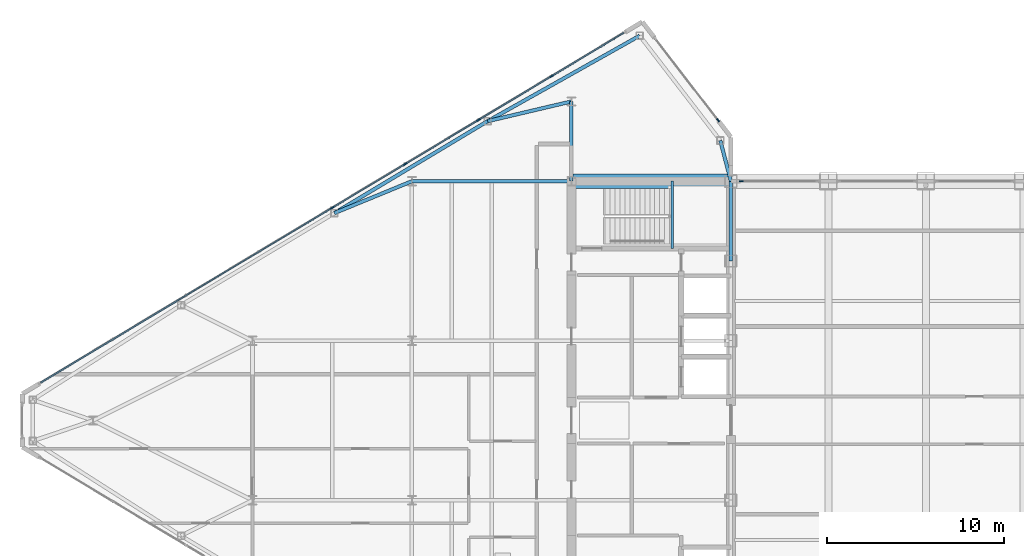
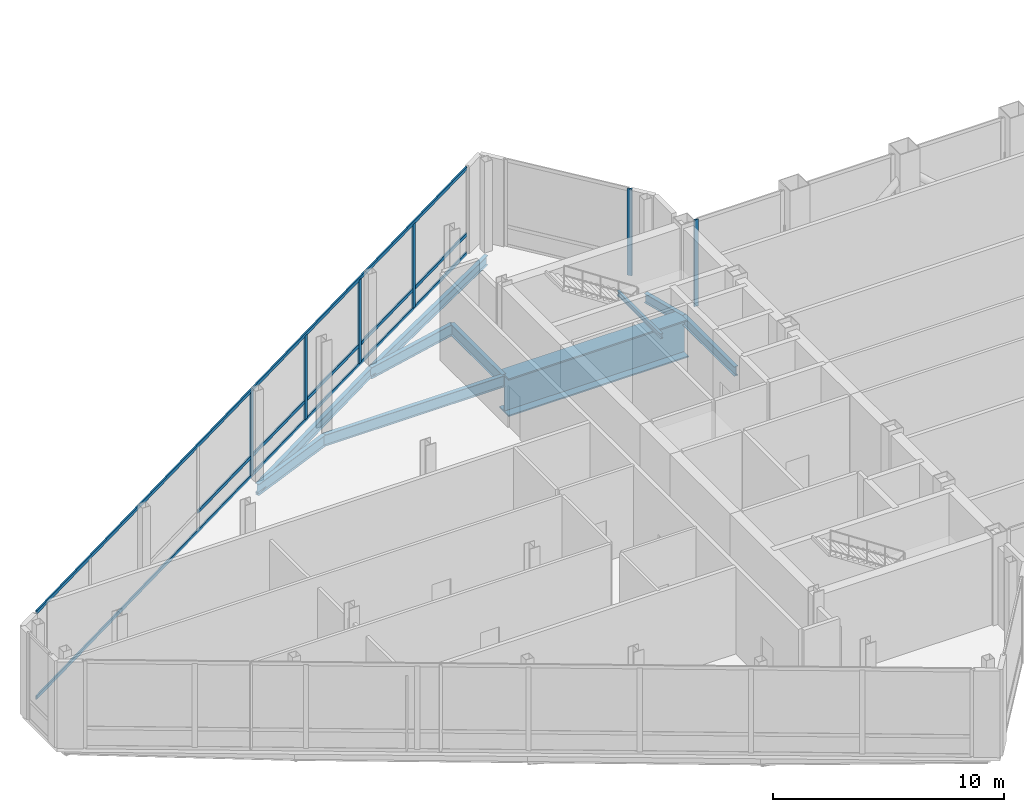
# One storey, part 11 of 30: 13 members, 10 beams, 3 elements without a shape of their own.
"""IFC4 building model written with IfcOpenShell, lengths in metres."""

from ifc_helpers import new_model, si_unit, direction, frame, origin, origin_2d, place, context, subcontext, project, spatial, rectangle, i_section, extrude, source, transform, mapped, material, layer, layer_set, material_profile, profile_set, type_object, type_shapes, element, aggregate, save


model = new_model("IFC4")

# Units and contexts
model_context = context("Model", 3, precision=1e-05, world=origin(), true_north=direction((0.0, 1.0)))
body_context = subcontext(model_context, "Body", "Model", "MODEL_VIEW")
ifc_project = project(units=[si_unit("LENGTHUNIT", "METRE"), si_unit("AREAUNIT", "SQUARE_METRE"), si_unit("VOLUMEUNIT", "CUBIC_METRE"), si_unit("PLANEANGLEUNIT", "RADIAN"), si_unit("MASSUNIT", "GRAM", prefix="KILO")], contexts=[model_context])

# Site, building, storey
site_placement = place(None, origin())
site = spatial("IfcSite", under=ifc_project, at=site_placement, CompositionType="ELEMENT")
building_placement = place(site_placement, origin())
building = spatial("IfcBuilding", under=site, at=building_placement, Name="Seokmaru Belvedere", CompositionType="ELEMENT")
storey_placement = place(building_placement, frame((0.0, 0.0, 234.60009765625)))
storey = spatial("IfcBuildingStorey", under=building, at=storey_placement, Name="L62", CompositionType="ELEMENT", Elevation=234.60009765625)

# Beams
ifc_material_1 = material(Name="Steel SM355 (355 MPa)", Category="steel")
ifc_material_profile_1 = material_profile(ifc_material_1, i_section(OverallWidth=0.199951171875, OverallDepth=0.5, WebThickness=0.010009765625, FlangeThickness=0.01611328125, at=origin_2d()), Name="H-500x200x10x16")
ifc_profile_set_1 = profile_set([ifc_material_profile_1], Name="Steel SM355 (355 MPa)")
beam_type_1 = type_object("IfcBeamType", Name="Perimeter Spandrel Beam H-500", PredefinedType="SPANDREL", material=ifc_profile_set_1)
shared_shape_1 = source(origin(), body_context, "Body", "SweptSolid", [
    extrude(i_section(OverallWidth=0.199951171875, OverallDepth=0.5, WebThickness=0.010009765625, FlangeThickness=0.01611328125, at=origin_2d()), origin(), (0.0, 0.0, 1.0), 4.5),
])
beam_1_placement = place(storey_placement, frame((-27.5, 9.0, -0.510009765625), z_axis=(0.0, 1.0, 0.0), x_axis=(-1.0, 0.0, 0.0)))
element("IfcBeam", 1, at=beam_1_placement, inside=storey, type_object=beam_type_1, Name="L62 W Portal Spine Spandrel 5", PredefinedType="SPANDREL", context=body_context, shape_type="MappedRepresentation", body=[
    mapped(shared_shape_1, transform((0.0, 0.0, 0.0), scale=1.0)),
])
ifc_material_profile_2 = material_profile(ifc_material_1, i_section(OverallWidth=0.199951171875, OverallDepth=0.60009765625, WebThickness=0.010986328125, FlangeThickness=0.01708984375, at=origin_2d()), Name="H-600x200x11x17")
ifc_profile_set_2 = profile_set([ifc_material_profile_2], Name="Steel SM355 (355 MPa)")
beam_type_2 = type_object("IfcBeamType", Name="Primary Floor Girder H-600", PredefinedType="BEAM", material=ifc_profile_set_2)
shared_shape_2 = source(origin(), body_context, "Body", "SweptSolid", [
    extrude(i_section(OverallWidth=0.199951171875, OverallDepth=0.60009765625, WebThickness=0.010986328125, FlangeThickness=0.01708984375, at=origin_2d()), origin(), (0.0, 0.0, 1.0), 9.0),
])
beam_2_placement = place(storey_placement, frame((-45.5, 13.5, -0.56005859375), z_axis=(1.0, 0.0, 0.0), x_axis=(0.0, 1.0, 0.0)))
element("IfcBeam", 2, at=beam_2_placement, inside=storey, type_object=beam_type_2, Name="L62 W Wing Primary Girder 4", PredefinedType="BEAM", context=body_context, shape_type="MappedRepresentation", body=[
    mapped(shared_shape_2, transform((0.0, 0.0, 0.0), scale=1.0)),
])
shared_shape_3 = source(origin(), body_context, "Body", "SweptSolid", [
    extrude(i_section(OverallWidth=0.199951171875, OverallDepth=0.60009765625, WebThickness=0.010986328125, FlangeThickness=0.01708984375, at=origin_2d()), origin(), (0.0, 0.0, 1.0), 4.5),
])
beam_3_placement = place(storey_placement, frame((-36.5, 13.5, -0.56005859375), z_axis=(0.0, 1.0, 0.0), x_axis=(-1.0, 0.0, 0.0)))
element("IfcBeam", 3, at=beam_3_placement, inside=storey, type_object=beam_type_2, Name="L62 W Core Shoulder Girder N", PredefinedType="BEAM", context=body_context, shape_type="MappedRepresentation", body=[
    mapped(shared_shape_3, transform((0.0, 0.0, 0.0), scale=1.0)),
])
shared_shape_4 = source(origin(), body_context, "Body", "SweptSolid", [
    extrude(i_section(OverallWidth=0.199951171875, OverallDepth=0.5, WebThickness=0.010009765625, FlangeThickness=0.01611328125, at=origin_2d()), origin(), (0.0, 0.0, 1.0), 9.842041015625),
])
beam_4_placement = place(storey_placement, frame((-32.649658203125, 21.71044921875, -0.510009765625), z_axis=(-0.871782151818, -0.489893743349, 0.0), x_axis=(0.489893743349, -0.871782151818, 0.0)))
element("IfcBeam", 4, at=beam_4_placement, inside=storey, type_object=beam_type_1, Name="L62 W Faceted Flank Spandrel N-1", PredefinedType="SPANDREL", context=body_context, shape_type="MappedRepresentation", body=[
    mapped(shared_shape_4, transform((0.0, 0.0, 0.0), scale=1.0)),
])
shared_shape_5 = source(origin(), body_context, "Body", "SweptSolid", [
    extrude(i_section(OverallWidth=0.199951171875, OverallDepth=0.5, WebThickness=0.010009765625, FlangeThickness=0.01611328125, at=origin_2d()), origin(), (0.0, 0.0, 1.0), 10.087646484375),
])
beam_5_placement = place(storey_placement, frame((-41.229736328125, 16.888916015625, -0.510009765625), z_axis=(-0.857499332045, -0.514485078056, 0.0), x_axis=(0.514485078056, -0.857499332045, 0.0)))
element("IfcBeam", 5, at=beam_5_placement, inside=storey, type_object=beam_type_1, Name="L62 W Faceted Flank Spandrel N-2", PredefinedType="SPANDREL", context=body_context, shape_type="MappedRepresentation", body=[
    mapped(shared_shape_5, transform((0.0, 0.0, 0.0), scale=1.0)),
])
shared_shape_6 = source(origin(), body_context, "Body", "SweptSolid", [
    extrude(i_section(OverallWidth=0.199951171875, OverallDepth=0.5, WebThickness=0.010009765625, FlangeThickness=0.01611328125, at=origin_2d()), origin(), (0.0, 0.0, 1.0), 2.373046875),
])
type_shapes(beam_type_1, [shared_shape_1, shared_shape_4, shared_shape_5, shared_shape_6])
beam_6_placement = place(storey_placement, frame((-28.10009765625, 15.7958984375, -0.510009765625), z_axis=(0.252882558842, -0.967496982648, 0.0), x_axis=(0.967496982648, 0.252882558842, 0.0)))
element("IfcBeam", 6, at=beam_6_placement, inside=storey, type_object=beam_type_1, Name="L62 W Shoulder Spine Spandrel N", PredefinedType="SPANDREL", context=body_context, shape_type="MappedRepresentation", body=[
    mapped(shared_shape_6, transform((0.0, 0.0, 0.0), scale=1.0)),
])
shared_shape_7 = source(origin(), body_context, "Body", "SweptSolid", [
    extrude(i_section(OverallWidth=0.199951171875, OverallDepth=0.60009765625, WebThickness=0.010986328125, FlangeThickness=0.01708984375, at=origin_2d()), origin(), (0.0, 0.0, 1.0), 4.8583984375),
])
beam_7_placement = place(storey_placement, frame((-41.229736328125, 16.888916015625, -0.56005859375), z_axis=(0.97349948295, 0.228689214211, 0.0), x_axis=(-0.228689214211, 0.97349948295, 0.0)))
element("IfcBeam", 7, at=beam_7_placement, inside=storey, type_object=beam_type_2, Name="L62 W Flank Radial Floor Girder N-1", PredefinedType="BEAM", context=body_context, shape_type="MappedRepresentation", body=[
    mapped(shared_shape_7, transform((0.0, 0.0, 0.0), scale=1.0)),
])
shared_shape_8 = source(origin(), body_context, "Body", "SweptSolid", [
    extrude(i_section(OverallWidth=0.199951171875, OverallDepth=0.60009765625, WebThickness=0.010986328125, FlangeThickness=0.01708984375, at=origin_2d()), origin(), (0.0, 0.0, 1.0), 4.73583984375),
])
type_shapes(beam_type_2, [shared_shape_2, shared_shape_3, shared_shape_7, shared_shape_8])
beam_8_placement = place(storey_placement, frame((-49.8798828125, 11.698974609375, -0.56005859375), z_axis=(0.924860562953, 0.380306375301, 0.0), x_axis=(-0.380306375301, 0.924860562953, 0.0)))
element("IfcBeam", 8, at=beam_8_placement, inside=storey, type_object=beam_type_2, Name="L62 W Flank Radial Floor Girder N-2", PredefinedType="BEAM", context=body_context, shape_type="MappedRepresentation", body=[
    mapped(shared_shape_8, transform((0.0, 0.0, 0.0), scale=1.0)),
])
ifc_material_2 = material(Name="Steel HSA650 (650 MPa)", Category="steel")
ifc_material_profile_3 = material_profile(ifc_material_2, i_section(OverallWidth=0.800048828125, OverallDepth=2.0, WebThickness=0.0400390625, FlangeThickness=0.070068359375, at=origin_2d()), Name="BH-2000x800x40x70")
ifc_profile_set_3 = profile_set([ifc_material_profile_3], Name="Steel HSA650 (650 MPa)")
beam_type_3 = type_object("IfcBeamType", Name="Sky-Gate Transfer Truss Chord Girder BH-2000", PredefinedType="BEAM", material=ifc_profile_set_3)
shared_shape_9 = source(origin(), body_context, "Body", "SweptSolid", [
    extrude(i_section(OverallWidth=0.800048828125, OverallDepth=2.0, WebThickness=0.0400390625, FlangeThickness=0.070068359375, at=origin_2d()), origin(), (0.0, 0.0, 1.0), 9.0),
])
type_shapes(beam_type_3, [shared_shape_9])
beam_9_placement = place(storey_placement, frame((-36.5, 13.5, -1.260009765625), z_axis=(1.0, 0.0, 0.0), x_axis=(0.0, 1.0, 0.0)))
element("IfcBeam", 9, at=beam_9_placement, inside=storey, type_object=beam_type_3, Name="L62 Sky-Gate Transfer Truss Chord N-01", PredefinedType="BEAM", context=body_context, shape_type="MappedRepresentation", body=[
    mapped(shared_shape_9, transform((0.0, 0.0, 0.0), scale=1.0)),
])

# Curtain wall, members
ifc_material_3 = material(Name="Bronze Triple Insulating Glass", Category="glass")
ifc_layer = layer(ifc_material_3, 0.219970703125)
ifc_layer_set = layer_set([ifc_layer], Name="Bronze Triple Insulating Glass")
curtain_wall_type = type_object("IfcCurtainWallType", Name="Sky-Gate Bridge Panorama Curtain Wall System CW-6", PredefinedType="NOTDEFINED", material=ifc_layer_set)
curtain_wall_1_placement = place(storey_placement, origin())
curtain_wall_1 = element("IfcCurtainWall", 10, at=curtain_wall_1_placement, inside=storey, type_object=curtain_wall_type, Name="L62 Curtain Wall WF3", PredefinedType="NOTDEFINED")
ifc_material_4 = material(Name="Anodised Bronze Aluminium", Category="aluminium")
ifc_material_profile_4 = material_profile(ifc_material_4, rectangle(XDim=0.074951171875, YDim=0.179931640625, at=origin_2d()), Name="CW-T-75x180")
ifc_profile_set_4 = profile_set([ifc_material_profile_4], Name="Anodised Bronze Aluminium")
member_type_1 = type_object("IfcMemberType", Name="Bronze Unitised Transom 75x180", PredefinedType="USERDEFINED", material=ifc_profile_set_4)
shared_shape_10 = source(origin(), body_context, "Body", "SweptSolid", [
    extrude(rectangle(XDim=0.074951171875, YDim=0.179931640625, at=origin_2d()), origin(), (0.0, 0.0, 1.0), 38.356689453125),
])
member_1_placement = place(storey_placement, frame((-33.5546875, 21.8671875, 0.037353515625), z_axis=(-0.857492925713, -0.514495755428, 0.0), x_axis=(0.514495755428, -0.857492925713, 0.0)))
member_1 = element("IfcMember", 11, at=member_1_placement, type_object=member_type_1, Name="CW:L62:WF3 Continuous Transom 1", ObjectType="TRANSOM", PredefinedType="USERDEFINED", context=body_context, shape_type="MappedRepresentation", body=[
    mapped(shared_shape_10, transform((0.0, 0.0, 0.0), scale=1.0)),
])
member_2_placement = place(storey_placement, frame((-33.5546875, 21.8671875, 4.54248046875), z_axis=(-0.857492925713, -0.514495755428, 0.0), x_axis=(0.514495755428, -0.857492925713, 0.0)))
member_2 = element("IfcMember", 12, at=member_2_placement, type_object=member_type_1, Name="CW:L62:WF3 Continuous Transom 2", ObjectType="TRANSOM", PredefinedType="USERDEFINED", context=body_context, shape_type="MappedRepresentation", body=[
    mapped(shared_shape_10, transform((0.0, 0.0, 0.0), scale=1.0)),
])
shared_shape_11 = source(origin(), body_context, "Body", "SweptSolid", [
    extrude(rectangle(XDim=0.074951171875, YDim=0.179931640625, at=origin_2d()), origin(), (0.0, 0.0, 1.0), 4.694580078125),
])
member_3_placement = place(storey_placement, frame((-33.5546875, 21.8671875, 1.0498046875), z_axis=(-0.85750210284, -0.514480459906, 0.0), x_axis=(0.514480459906, -0.85750210284, 0.0)))
member_3 = element("IfcMember", 13, at=member_3_placement, type_object=member_type_1, Name="CW:L62:WF3 Spandrel Transom 1", ObjectType="TRANSOM", PredefinedType="USERDEFINED", context=body_context, shape_type="MappedRepresentation", body=[
    mapped(shared_shape_11, transform((0.0, 0.0, 0.0), scale=1.0)),
])
shared_shape_12 = source(origin(), body_context, "Body", "SweptSolid", [
    extrude(rectangle(XDim=0.074951171875, YDim=0.179931640625, at=origin_2d()), origin(), (0.0, 0.0, 1.0), 4.734619140625),
])
member_4_placement = place(storey_placement, frame((-37.64892578125, 19.41064453125, 1.0498046875), z_axis=(-0.857479275774, -0.514518504641, 0.0), x_axis=(0.514518504641, -0.857479275774, 0.0)))
member_4 = element("IfcMember", 14, at=member_4_placement, type_object=member_type_1, Name="CW:L62:WF3 Spandrel Transom 2", ObjectType="TRANSOM", PredefinedType="USERDEFINED", context=body_context, shape_type="MappedRepresentation", body=[
    mapped(shared_shape_12, transform((0.0, 0.0, 0.0), scale=1.0)),
])
shared_shape_13 = source(origin(), body_context, "Body", "SweptSolid", [
    extrude(rectangle(XDim=0.074951171875, YDim=0.179931640625, at=origin_2d()), origin(), (0.0, 0.0, 1.0), 4.734375),
])
member_5_placement = place(storey_placement, frame((-41.77734375, 16.93359375, 1.0498046875), z_axis=(-0.857502025578, -0.514480588682, 0.0), x_axis=(0.514480588682, -0.857502025578, 0.0)))
member_5 = element("IfcMember", 15, at=member_5_placement, type_object=member_type_1, Name="CW:L62:WF3 Spandrel Transom 3", ObjectType="TRANSOM", PredefinedType="USERDEFINED", context=body_context, shape_type="MappedRepresentation", body=[
    mapped(shared_shape_13, transform((0.0, 0.0, 0.0), scale=1.0)),
])
shared_shape_14 = source(origin(), body_context, "Body", "SweptSolid", [
    extrude(rectangle(XDim=0.074951171875, YDim=0.179931640625, at=origin_2d()), origin(), (0.0, 0.0, 1.0), 4.73486328125),
])
type_shapes(member_type_1, [shared_shape_10, shared_shape_11, shared_shape_12, shared_shape_13, shared_shape_14])
member_6_placement = place(storey_placement, frame((-45.90576171875, 14.45654296875, 1.0498046875), z_axis=(-0.857492925713, -0.514495755428, 0.0), x_axis=(0.514495755428, -0.857492925713, 0.0)))
member_6 = element("IfcMember", 16, at=member_6_placement, type_object=member_type_1, Name="CW:L62:WF3 Spandrel Transom 4", ObjectType="TRANSOM", PredefinedType="USERDEFINED", context=body_context, shape_type="MappedRepresentation", body=[
    mapped(shared_shape_14, transform((0.0, 0.0, 0.0), scale=1.0)),
])
member_7_placement = place(storey_placement, frame((-50.0341796875, 11.9794921875, 1.0498046875), z_axis=(-0.857492925713, -0.514495755428, 0.0), x_axis=(0.514495755428, -0.857492925713, 0.0)))
member_7 = element("IfcMember", 17, at=member_7_placement, type_object=member_type_1, Name="CW:L62:WF3 Spandrel Transom 5", ObjectType="TRANSOM", PredefinedType="USERDEFINED", context=body_context, shape_type="MappedRepresentation", body=[
    mapped(shared_shape_14, transform((0.0, 0.0, 0.0), scale=1.0)),
])

# Curtain wall, member
curtain_wall_2_placement = place(storey_placement, origin())
curtain_wall_2 = element("IfcCurtainWall", 18, at=curtain_wall_2_placement, inside=storey, type_object=curtain_wall_type, Name="L62 Curtain Wall WF2", PredefinedType="NOTDEFINED")
ifc_material_profile_5 = material_profile(ifc_material_4, rectangle(XDim=0.080078125, YDim=0.219970703125, at=origin_2d()), Name="CW-M-80x220")
ifc_profile_set_5 = profile_set([ifc_material_profile_5], Name="Anodised Bronze Aluminium")
member_type_2 = type_object("IfcMemberType", Name="Bronze Unitised Mullion 80x220", PredefinedType="MULLION", material=ifc_profile_set_5)
shared_shape_15 = source(origin(), body_context, "Body", "SweptSolid", [
    extrude(rectangle(XDim=0.080078125, YDim=0.219970703125, at=origin_2d()), origin(), (0.0, 0.0, 1.0), 4.579833984375),
])
member_8_placement = place(storey_placement, frame((-28.2255859375, 16.943115234375, 0.0), z_axis=(0.0, 0.0, 1.0), x_axis=(-0.792631353244, -0.609701187349, 0.0)))
member_8 = element("IfcMember", 19, at=member_8_placement, type_object=member_type_2, Name="CW:L62:WF2 Mullion 1", PredefinedType="MULLION", context=body_context, shape_type="MappedRepresentation", body=[
    mapped(shared_shape_15, transform((0.0, 0.0, 0.0), scale=1.0)),
])
aggregate(curtain_wall_2, [member_8])

curtain_wall_3_placement = place(storey_placement, origin())
curtain_wall_3 = element("IfcCurtainWall", 20, at=curtain_wall_3_placement, inside=storey, type_object=curtain_wall_type, Name="L62 Curtain Wall BR_N01", PredefinedType="NOTDEFINED")
member_9_placement = place(storey_placement, frame((-26.909912109375, 13.5, 0.0), z_axis=(0.0, 0.0, 1.0), x_axis=(0.0, -1.0, 0.0)))
member_9 = element("IfcMember", 21, at=member_9_placement, type_object=member_type_2, Name="CW:L62:BR_N01 Mullion 2", PredefinedType="MULLION", context=body_context, shape_type="MappedRepresentation", body=[
    mapped(shared_shape_15, transform((0.0, 0.0, 0.0), scale=1.0)),
])
aggregate(curtain_wall_3, [member_9])

# Member
shared_shape_16 = source(origin(), body_context, "Body", "SweptSolid", [
    extrude(rectangle(XDim=0.080078125, YDim=0.219970703125, at=origin_2d()), origin(), (0.0, 0.0, 1.0), 4.429931640625),
])
type_shapes(member_type_2, [shared_shape_15, shared_shape_16])
member_10_placement = place(storey_placement, frame((-37.614501953125, 19.43115234375, 0.074951171875), z_axis=(0.0, 0.0, 1.0), x_axis=(0.514494909364, -0.85749343335, 0.0)))
member_10 = element("IfcMember", 22, at=member_10_placement, type_object=member_type_2, Name="CW:L62:WF3 Mullion 2", PredefinedType="MULLION", context=body_context, shape_type="MappedRepresentation", body=[
    mapped(shared_shape_16, transform((0.0, 0.0, 0.0), scale=1.0)),
])

member_11_placement = place(storey_placement, frame((-41.7431640625, 16.9541015625, 0.074951171875), z_axis=(0.0, 0.0, 1.0), x_axis=(0.514494909364, -0.85749343335, 0.0)))
member_11 = element("IfcMember", 23, at=member_11_placement, type_object=member_type_2, Name="CW:L62:WF3 Mullion 3", PredefinedType="MULLION", context=body_context, shape_type="MappedRepresentation", body=[
    mapped(shared_shape_16, transform((0.0, 0.0, 0.0), scale=1.0)),
])

member_12_placement = place(storey_placement, frame((-45.87158203125, 14.47705078125, 0.074951171875), z_axis=(0.0, 0.0, 1.0), x_axis=(0.514494909364, -0.85749343335, 0.0)))
member_12 = element("IfcMember", 24, at=member_12_placement, type_object=member_type_2, Name="CW:L62:WF3 Mullion 4", PredefinedType="MULLION", context=body_context, shape_type="MappedRepresentation", body=[
    mapped(shared_shape_16, transform((0.0, 0.0, 0.0), scale=1.0)),
])

member_13_placement = place(storey_placement, frame((-50.0, 12.0, 0.074951171875), z_axis=(0.0, 0.0, 1.0), x_axis=(0.514494909364, -0.85749343335, 0.0)))
member_13 = element("IfcMember", 25, at=member_13_placement, type_object=member_type_2, Name="CW:L62:WF3 Mullion 5", PredefinedType="MULLION", context=body_context, shape_type="MappedRepresentation", body=[
    mapped(shared_shape_16, transform((0.0, 0.0, 0.0), scale=1.0)),
])

aggregate(curtain_wall_1, [member_10, member_11, member_12, member_13, member_1, member_2, member_3, member_4, member_5, member_6, member_7])

# Beam
ifc_material_profile_6 = material_profile(ifc_material_1, i_section(OverallWidth=0.125, OverallDepth=0.25, WebThickness=0.006103515625, FlangeThickness=0.009033203125, at=origin_2d()), Name="H-250x125x6x9")
ifc_profile_set_6 = profile_set([ifc_material_profile_6], Name="Steel SM355 (355 MPa)")
beam_type_4 = type_object("IfcBeamType", Name="Stair Mid-Landing Support Beam H-250", PredefinedType="JOIST", material=ifc_profile_set_6)
shared_shape_17 = source(origin(), body_context, "Body", "SweptSolid", [
    extrude(i_section(OverallWidth=0.125, OverallDepth=0.25, WebThickness=0.006103515625, FlangeThickness=0.009033203125, at=origin_2d()), origin(), (0.0, 0.0, 1.0), 3.800048828125),
])
type_shapes(beam_type_4, [shared_shape_17])
beam_10_placement = place(storey_placement, frame((-30.81005859375, 9.699951171875, 2.074951171875), z_axis=(0.0, 1.0, 0.0), x_axis=(-1.0, 0.0, 0.0)))
element("IfcBeam", 26, at=beam_10_placement, inside=storey, type_object=beam_type_4, Name="L62 Stair ST-W2 Mid-Landing Support Beam 1", PredefinedType="JOIST", context=body_context, shape_type="MappedRepresentation", body=[
    mapped(shared_shape_17, transform((0.0, 0.0, 0.0), scale=1.0)),
])

save(model, "model.ifc")
